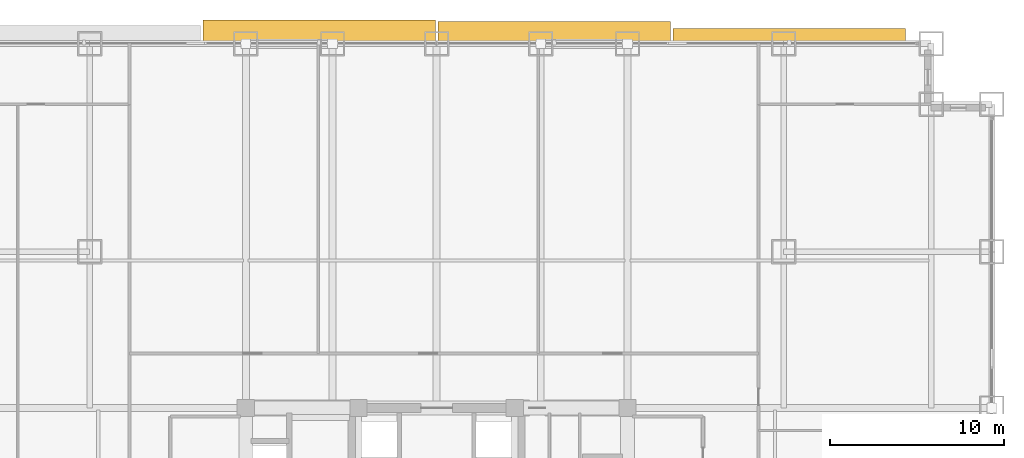
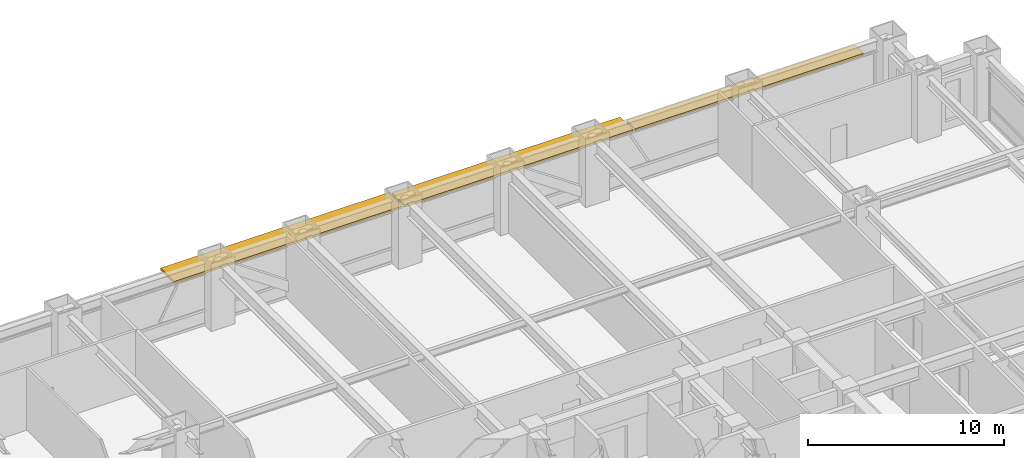
# One storey, part 32 of 32: 3 shading devices.
"""IFC4 building model written with IfcOpenShell, lengths in metres."""

from ifc_helpers import new_model, si_unit, direction, frame, origin, origin_2d, place, context, subcontext, project, spatial, rectangle, extrude, source, transform, mapped, material, layer, layer_set, type_object, element, save


model = new_model("IFC4")

# Units and contexts
model_context = context("Model", 3, precision=1e-05, world=origin(), true_north=direction((0.0, 1.0)))
body_context = subcontext(model_context, "Body", "Model", "MODEL_VIEW")
ifc_project = project(units=[si_unit("LENGTHUNIT", "METRE"), si_unit("AREAUNIT", "SQUARE_METRE"), si_unit("VOLUMEUNIT", "CUBIC_METRE"), si_unit("PLANEANGLEUNIT", "RADIAN"), si_unit("MASSUNIT", "GRAM", prefix="KILO")], contexts=[model_context])

# Site, building, storey
site_placement = place(None, origin())
site = spatial("IfcSite", under=ifc_project, at=site_placement, CompositionType="ELEMENT")
building_placement = place(site_placement, origin())
building = spatial("IfcBuilding", under=site, at=building_placement, Name="Khorayat Bourse Tower", CompositionType="ELEMENT")
storey_placement = place(building_placement, frame((0.0, 0.0, 74.60009765625)))
storey = spatial("IfcBuildingStorey", under=building, at=storey_placement, Name="L16", CompositionType="ELEMENT", Elevation=74.60009765625)

# Shading devices
ifc_material = material(Name="Precast concrete C45/55", Category="concrete")
ifc_layer = layer(ifc_material, 0.139892578125)
ifc_layer_set = layer_set([ifc_layer], Name="Precast concrete C45/55")
shading_device_type = type_object("IfcShadingDeviceType", Name="SHD-WAVE-TRAY-B", PredefinedType="USERDEFINED", material=ifc_layer_set)
shared_shape_1 = source(origin(), body_context, "Body", "SweptSolid", [
    extrude(rectangle(XDim=13.409912109375, YDim=1.380859375, at=origin_2d()), origin(), (0.0, 0.0, 1.0), 0.139892578125),
])
shading_device_1_placement = place(storey_placement, frame((-6.77490234375, 32.67041015625, 3.18994140625), z_axis=(0.0, 0.0, 1.0), x_axis=(1.0, 0.0, 0.0)))
element("IfcShadingDevice", 1, at=shading_device_1_placement, inside=storey, type_object=shading_device_type, Name="L16 Sinusoidal Wave Sunshade Tray N-2", ObjectType="SUNSHADE", PredefinedType="USERDEFINED", context=body_context, shape_type="MappedRepresentation", body=[
    mapped(shared_shape_1, transform((0.0, 0.0, 0.0), scale=1.0)),
])
shared_shape_2 = source(origin(), body_context, "Body", "SweptSolid", [
    extrude(rectangle(XDim=13.409912109375, YDim=1.295166015625, at=origin_2d()), origin(), (0.0, 0.0, 1.0), 0.139892578125),
])
shading_device_2_placement = place(storey_placement, frame((6.77490234375, 32.62744140625, 3.18994140625), z_axis=(0.0, 0.0, 1.0), x_axis=(1.0, 0.0, 0.0)))
element("IfcShadingDevice", 2, at=shading_device_2_placement, inside=storey, type_object=shading_device_type, Name="L16 Sinusoidal Wave Sunshade Tray N-3", ObjectType="SUNSHADE", PredefinedType="USERDEFINED", context=body_context, shape_type="MappedRepresentation", body=[
    mapped(shared_shape_2, transform((0.0, 0.0, 0.0), scale=1.0)),
])
shared_shape_3 = source(origin(), body_context, "Body", "SweptSolid", [
    extrude(rectangle(XDim=13.409912109375, YDim=0.892333984375, at=origin_2d()), origin(), (0.0, 0.0, 1.0), 0.139892578125),
])
shading_device_3_placement = place(storey_placement, frame((20.324951171875, 32.42626953125, 3.18994140625), z_axis=(0.0, 0.0, 1.0), x_axis=(1.0, 0.0, 0.0)))
element("IfcShadingDevice", 3, at=shading_device_3_placement, inside=storey, type_object=shading_device_type, Name="L16 Sinusoidal Wave Sunshade Tray N-4", ObjectType="SUNSHADE", PredefinedType="USERDEFINED", context=body_context, shape_type="MappedRepresentation", body=[
    mapped(shared_shape_3, transform((0.0, 0.0, 0.0), scale=1.0)),
])

save(model, "model.ifc")
